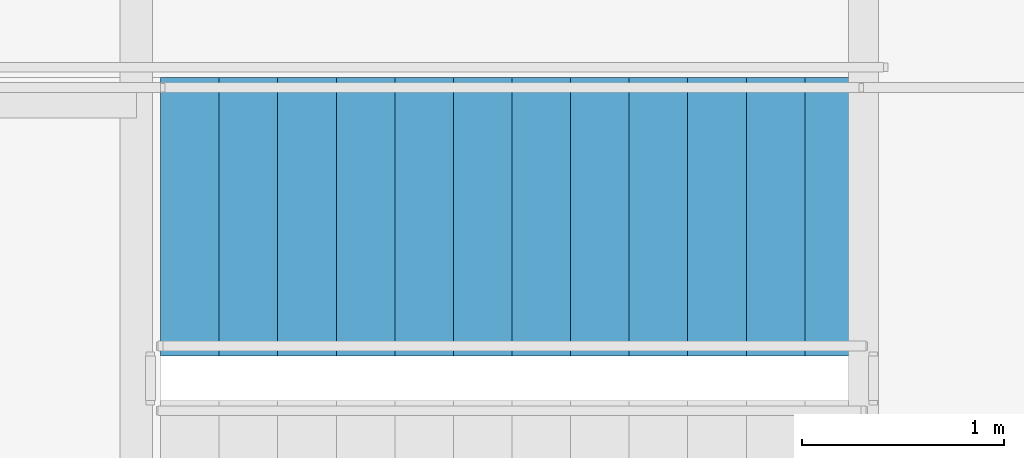
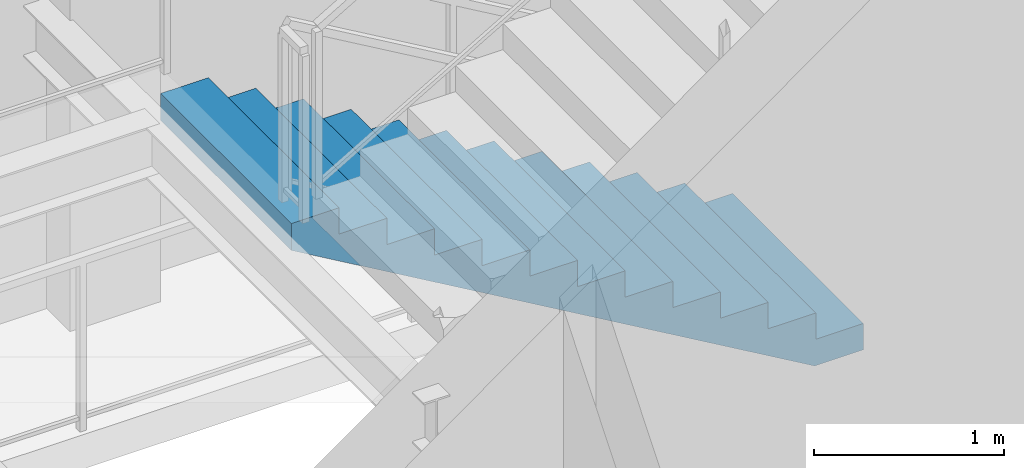
# One storey, part 25 of 27: 1 stair flight, 1 element without a shape of its own.
"""IFC4 building model written with IfcOpenShell, lengths in metres."""

from ifc_helpers import new_model, si_unit, direction, frame, origin, place, context, subcontext, project, spatial, polyline, outline, extrude, material, type_object, element, aggregate, save


model = new_model("IFC4")

# Units and contexts
model_context = context("Model", 3, precision=1e-05, world=origin(), true_north=direction((0.0, 1.0)))
body_context = subcontext(model_context, "Body", "Model", "MODEL_VIEW")
ifc_project = project(units=[si_unit("LENGTHUNIT", "METRE"), si_unit("AREAUNIT", "SQUARE_METRE"), si_unit("VOLUMEUNIT", "CUBIC_METRE"), si_unit("PLANEANGLEUNIT", "RADIAN"), si_unit("MASSUNIT", "GRAM", prefix="KILO")], contexts=[model_context])

# Site, building, storey
site_placement = place(None, origin())
site = spatial("IfcSite", under=ifc_project, at=site_placement, CompositionType="ELEMENT")
building_placement = place(site_placement, origin())
building = spatial("IfcBuilding", under=site, at=building_placement, Name="Khoronbel Lancet Exchange", CompositionType="ELEMENT")
storey_placement = place(building_placement, frame((0.0, 0.0, 305.800048828125)))
storey = spatial("IfcBuildingStorey", under=building, at=storey_placement, Name="L79", CompositionType="ELEMENT", Elevation=305.800048828125)

# Stair, stair flight
ifc_material = material(Name="Concrete C40/50", Category="concrete")
stair_type = type_object("IfcStairType", Name="STR-CORE150", PredefinedType="HALF_TURN_STAIR", material=ifc_material)
stair_placement = place(storey_placement, origin())
stair = element("IfcStair", 1, at=stair_placement, inside=storey, type_object=stair_type, Name="L79 Protected Exit Stair ST2", PredefinedType="HALF_TURN_STAIR")
stair_flight_type = type_object("IfcStairFlightType", Name="STF-150", PredefinedType="STRAIGHT", material=ifc_material)
stair_flight_placement = place(storey_placement, frame((54.60009765625, 51.409912109375, 0.0), z_axis=(0.0, 0.0, 1.0), x_axis=(-1.0, 0.0, 0.0)))
stair_flight = element("IfcStairFlight", 2, at=stair_flight_placement, type_object=stair_flight_type, Name="ST2 flight 1", NumberOfRisers=13, NumberOfTreads=12, PredefinedType="STRAIGHT", RiserHeight=0.169230769, TreadLength=0.29, context=body_context, shape_type="SweptSolid", body=[
    extrude(outline(polyline([(0.0, 0.0), (0.0, 0.169189453125), (0.2900390625, 0.169189453125), (0.2900390625, 0.33837890625), (0.580078125, 0.33837890625), (0.580078125, 0.5078125), (0.8701171875, 0.5078125), (0.8701171875, 0.677001953125), (1.159912109375, 0.677001953125), (1.159912109375, 0.84619140625), (1.449951171875, 0.84619140625), (1.449951171875, 1.015380859375), (1.739990234375, 1.015380859375), (1.739990234375, 1.1845703125), (2.030029296875, 1.1845703125), (2.030029296875, 1.353759765625), (2.320068359375, 1.353759765625), (2.320068359375, 1.523193359375), (2.610107421875, 1.523193359375), (2.610107421875, 1.6923828125), (2.89990234375, 1.6923828125), (2.89990234375, 1.861572265625), (3.18994140625, 1.861572265625), (3.18994140625, 2.03076171875), (3.47998046875, 2.03076171875), (3.47998046875, 2.199951171875), (3.47998046875, 1.857177734375), (0.29736328125, 0.0), (0.0, 0.0)])), frame((0.0, 0.68994140625, 0.0), z_axis=(0.0, -1.0, 0.0), x_axis=(1.0, 0.0, 0.0)), (0.0, 0.0, 1.0), 1.3798828125),
])
aggregate(stair, [stair_flight])

save(model, "model.ifc")
